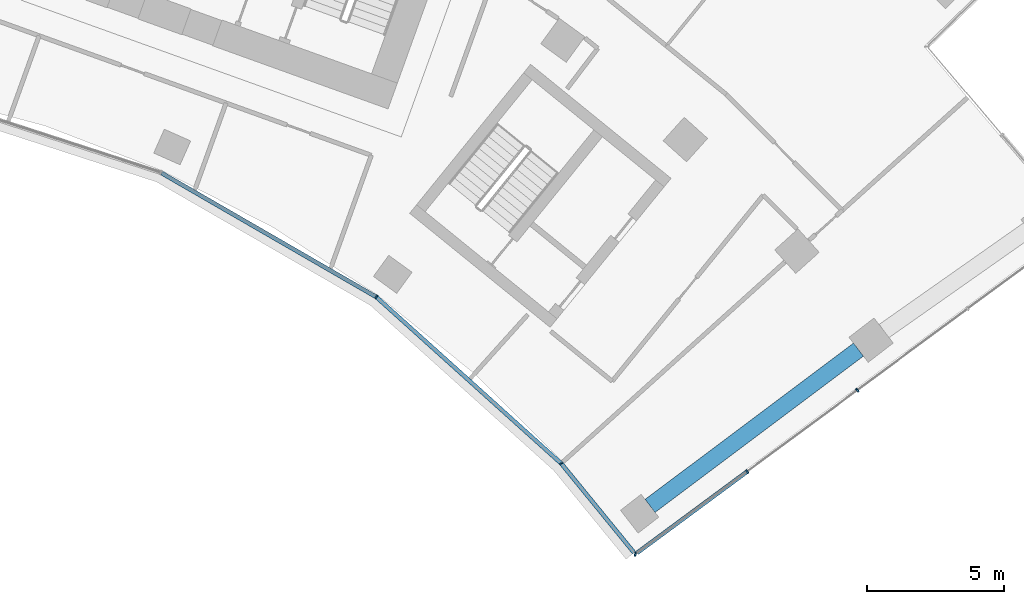
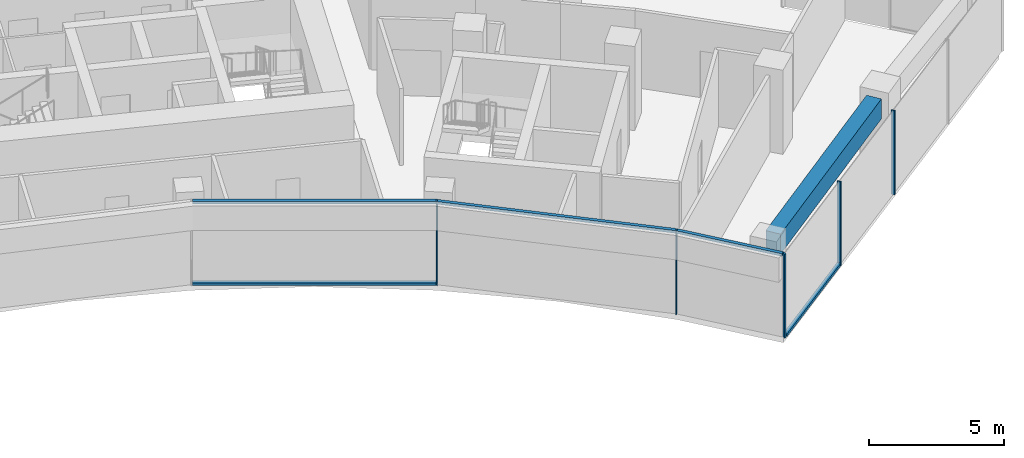
# One storey, part 8 of 20: 10 members, 1 beam, 2 elements without a shape of their own.
"""IFC4 building model written with IfcOpenShell, lengths in metres."""

from ifc_helpers import new_model, si_unit, direction, frame, origin, origin_2d, place, context, subcontext, project, spatial, rectangle, extrude, material, layer, layer_set, material_profile, profile_set, type_object, element, aggregate, save


model = new_model("IFC4")

# Units and contexts
model_context = context("Model", 3, precision=1e-05, world=origin(), true_north=direction((0.0, 1.0)))
body_context = subcontext(model_context, "Body", "Model", "MODEL_VIEW")
ifc_project = project(units=[si_unit("LENGTHUNIT", "METRE"), si_unit("AREAUNIT", "SQUARE_METRE"), si_unit("VOLUMEUNIT", "CUBIC_METRE"), si_unit("PLANEANGLEUNIT", "RADIAN"), si_unit("MASSUNIT", "GRAM", prefix="KILO")], contexts=[model_context])

# Site, building, storey
site_placement = place(None, origin())
site = spatial("IfcSite", under=ifc_project, at=site_placement, CompositionType="ELEMENT")
building_placement = place(site_placement, origin())
building = spatial("IfcBuilding", under=site, at=building_placement, Name="Stone Belt Terrace Tower", CompositionType="ELEMENT")
storey_placement = place(building_placement, frame((0.0, 0.0, 212.39990234375)))
storey = spatial("IfcBuildingStorey", under=building, at=storey_placement, Name="L51", CompositionType="ELEMENT", Elevation=212.39990234375)

# Curtain wall, members
ifc_material_1 = material(Name="Aluminium 6063-T6 anodised frame", Category="aluminium")
ifc_layer_1 = layer(ifc_material_1, 0.14990234375)
ifc_layer_set_1 = layer_set([ifc_layer_1], Name="CW-B unitised concave-face curtain wall")
curtain_wall_type_1 = type_object("IfcCurtainWallType", Name="CW-B unitised concave-face curtain wall", PredefinedType="NOTDEFINED", material=ifc_layer_set_1)
curtain_wall_1_placement = place(storey_placement, origin())
curtain_wall_1 = element("IfcCurtainWall", 1, at=curtain_wall_1_placement, inside=storey, type_object=curtain_wall_type_1, Name="CW-B concave face L51", PredefinedType="NOTDEFINED")
ifc_material_profile_1 = material_profile(ifc_material_1, rectangle(XDim=0.14990234375, YDim=0.050048828125, at=origin_2d()), Name="Aluminium 6063-T6 50x150")
ifc_profile_set_1 = profile_set([ifc_material_profile_1], Name="Aluminium 6063-T6 anodised frame")
member_type_1 = type_object("IfcMemberType", Name="CW-B mullion 50 x 150", PredefinedType="MULLION", material=ifc_profile_set_1)
member_1_placement = place(storey_placement, frame((25.5244140625, 35.13134765625, 0.0), z_axis=(0.0, 0.0, 1.0), x_axis=(0.587785252292, 0.809016994375, 0.0)))
member_1 = element("IfcMember", 2, at=member_1_placement, type_object=member_type_1, Name="CW-B mullion 8", PredefinedType="MULLION", context=body_context, shape_type="SweptSolid", body=[
    extrude(rectangle(XDim=0.14990234375, YDim=0.050048828125, at=origin_2d()), origin(), (0.0, 0.0, 1.0), 3.800048828125),
])
member_2_placement = place(storey_placement, frame((32.2724609375, 29.05517578125, 0.0), z_axis=(0.0, 0.0, 1.0), x_axis=(0.724007879695, 0.689791700544, 0.0)))
member_2 = element("IfcMember", 3, at=member_2_placement, type_object=member_type_1, Name="CW-B mullion 9", PredefinedType="MULLION", context=body_context, shape_type="SweptSolid", body=[
    extrude(rectangle(XDim=0.14990234375, YDim=0.050048828125, at=origin_2d()), origin(), (0.0, 0.0, 1.0), 3.800048828125),
])
ifc_material_profile_2 = material_profile(ifc_material_1, rectangle(XDim=0.14990234375, YDim=0.1201171875, at=origin_2d()), Name="Aluminium 6063-T6 150x120")
ifc_profile_set_2 = profile_set([ifc_material_profile_2], Name="Aluminium 6063-T6 anodised frame")
member_type_2 = type_object("IfcMemberType", Name="CW-B transom 120 x 150", PredefinedType="USERDEFINED", material=ifc_profile_set_2)
member_3_placement = place(storey_placement, frame((17.690673828125, 39.654052734375, 0.06005859375), z_axis=(0.866019133895, -0.500010859609, 0.0), x_axis=(0.500010859609, 0.866019133895, 0.0)))
member_3 = element("IfcMember", 4, at=member_3_placement, type_object=member_type_2, Name="CW-B transom 7.1", ObjectType="TRANSOM", PredefinedType="USERDEFINED", context=body_context, shape_type="SweptSolid", body=[
    extrude(rectangle(XDim=0.14990234375, YDim=0.1201171875, at=origin_2d()), origin(), (0.0, 0.0, 1.0), 9.012939453125),
])
member_4_placement = place(storey_placement, frame((17.690673828125, 39.654052734375, 3.739990234375), z_axis=(0.866019133895, -0.500010859609, 0.0), x_axis=(0.500010859609, 0.866019133895, 0.0)))
member_4 = element("IfcMember", 5, at=member_4_placement, type_object=member_type_2, Name="CW-B transom 7.2", ObjectType="TRANSOM", PredefinedType="USERDEFINED", context=body_context, shape_type="SweptSolid", body=[
    extrude(rectangle(XDim=0.14990234375, YDim=0.1201171875, at=origin_2d()), origin(), (0.0, 0.0, 1.0), 9.012939453125),
])
member_5_placement = place(storey_placement, frame((25.548583984375, 35.109375, 3.739990234375), z_axis=(0.743150073676, -0.669124777598, 0.0), x_axis=(0.669124777598, 0.743150073676, 0.0)))
member_5 = element("IfcMember", 6, at=member_5_placement, type_object=member_type_2, Name="CW-B transom 8.1", ObjectType="TRANSOM", PredefinedType="USERDEFINED", context=body_context, shape_type="SweptSolid", body=[
    extrude(rectangle(XDim=0.14990234375, YDim=0.1201171875, at=origin_2d()), origin(), (0.0, 0.0, 1.0), 9.016845703125),
])
member_6_placement = place(storey_placement, frame((32.291748046875, 29.031494140625, 3.739990234375), z_axis=(0.632390101137, -0.774650088739, 0.0), x_axis=(0.774650088739, 0.632390101137, 0.0)))
member_6 = element("IfcMember", 7, at=member_6_placement, type_object=member_type_2, Name="CW-B transom 9.1", ObjectType="TRANSOM", PredefinedType="USERDEFINED", context=body_context, shape_type="SweptSolid", body=[
    extrude(rectangle(XDim=0.14990234375, YDim=0.1201171875, at=origin_2d()), origin(), (0.0, 0.0, 1.0), 4.173583984375),
])
aggregate(curtain_wall_1, [member_1, member_2, member_3, member_4, member_5, member_6])

ifc_layer_2 = layer(ifc_material_1, 0.14990234375)
ifc_layer_set_2 = layer_set([ifc_layer_2], Name="CW-C stick curtain wall, horn ends and notches")
curtain_wall_type_2 = type_object("IfcCurtainWallType", Name="CW-C stick curtain wall, horn ends and notches", PredefinedType="NOTDEFINED", material=ifc_layer_set_2)
curtain_wall_2_placement = place(storey_placement, origin())
curtain_wall_2 = element("IfcCurtainWall", 8, at=curtain_wall_2_placement, inside=storey, type_object=curtain_wall_type_2, Name="CW-C end face L51", PredefinedType="NOTDEFINED")
ifc_material_profile_3 = material_profile(ifc_material_1, rectangle(XDim=0.14990234375, YDim=0.06005859375, at=origin_2d()), Name="Aluminium 6063-T6 60x150")
ifc_profile_set_3 = profile_set([ifc_material_profile_3], Name="Aluminium 6063-T6 anodised frame")
member_type_3 = type_object("IfcMemberType", Name="CW-C mullion 60 x 150", PredefinedType="MULLION", material=ifc_profile_set_3)
member_7_placement = place(storey_placement, frame((34.975341796875, 25.744140625, 0.0), z_axis=(0.0, 0.0, 1.0), x_axis=(0.124625557677, 0.992203845172, 0.0)))
member_7 = element("IfcMember", 9, at=member_7_placement, type_object=member_type_3, Name="CW-C mullion 1", PredefinedType="MULLION", context=body_context, shape_type="SweptSolid", body=[
    extrude(rectangle(XDim=0.14990234375, YDim=0.06005859375, at=origin_2d()), origin(), (0.0, 0.0, 1.0), 3.800048828125),
])
member_8_placement = place(storey_placement, frame((39.054443359375, 28.757568359375, 0.0), z_axis=(0.0, 0.0, 1.0), x_axis=(-0.594184091865, 0.804329077539, 0.0)))
member_8 = element("IfcMember", 10, at=member_8_placement, type_object=member_type_3, Name="CW-C mullion 2", PredefinedType="MULLION", context=body_context, shape_type="SweptSolid", body=[
    extrude(rectangle(XDim=0.14990234375, YDim=0.06005859375, at=origin_2d()), origin(), (0.0, 0.0, 1.0), 3.800048828125),
])
member_9_placement = place(storey_placement, frame((43.076171875, 31.728515625, 0.0), z_axis=(0.0, 0.0, 1.0), x_axis=(-0.594184091865, 0.804329077539, 0.0)))
member_9 = element("IfcMember", 11, at=member_9_placement, type_object=member_type_3, Name="CW-C mullion 3", PredefinedType="MULLION", context=body_context, shape_type="SweptSolid", body=[
    extrude(rectangle(XDim=0.14990234375, YDim=0.06005859375, at=origin_2d()), origin(), (0.0, 0.0, 1.0), 3.800048828125),
])
ifc_material_profile_4 = material_profile(ifc_material_1, rectangle(XDim=0.14990234375, YDim=0.1201171875, at=origin_2d()), Name="Aluminium 6063-T6 150x120")
ifc_profile_set_4 = profile_set([ifc_material_profile_4], Name="Aluminium 6063-T6 anodised frame")
member_type_4 = type_object("IfcMemberType", Name="CW-C transom 120 x 150", PredefinedType="USERDEFINED", material=ifc_profile_set_4)
member_10_placement = place(storey_placement, frame((35.034423828125, 25.787841796875, 0.06005859375), z_axis=(0.804325227642, 0.594189303319, 0.0), x_axis=(-0.594189303319, 0.804325227642, 0.0)))
member_10 = element("IfcMember", 12, at=member_10_placement, type_object=member_type_4, Name="CW-C transom 1.1", ObjectType="TRANSOM", PredefinedType="USERDEFINED", context=body_context, shape_type="SweptSolid", body=[
    extrude(rectangle(XDim=0.14990234375, YDim=0.1201171875, at=origin_2d()), origin(), (0.0, 0.0, 1.0), 4.968017578125),
])
aggregate(curtain_wall_2, [member_7, member_8, member_9, member_10])

# Beam
ifc_material_2 = material(Name="Concrete B60", Category="concrete")
ifc_material_profile_5 = material_profile(ifc_material_2, rectangle(XDim=0.60009765625, YDim=0.89990234375, at=origin_2d()), Name="RC 600x900")
ifc_profile_set_5 = profile_set([ifc_material_profile_5], Name="Concrete B60")
beam_type = type_object("IfcBeamType", Name="Edge beam RC 600x900 B60", PredefinedType="SPANDREL", material=ifc_profile_set_5)
beam_placement = place(storey_placement, frame((35.51318359375, 27.5068359375, 3.030029296875), z_axis=(0.800073960697, 0.599901373073, 0.0), x_axis=(-0.599901373073, 0.800073960697, 0.0)))
element("IfcBeam", 13, at=beam_placement, inside=storey, type_object=beam_type, Name="Edge beam L51 B P to Q", PredefinedType="SPANDREL", context=body_context, shape_type="SweptSolid", body=[
    extrude(rectangle(XDim=0.60009765625, YDim=0.89990234375, at=origin_2d()), origin(), (0.0, 0.0, 1.0), 9.505859375),
])

save(model, "model.ifc")
